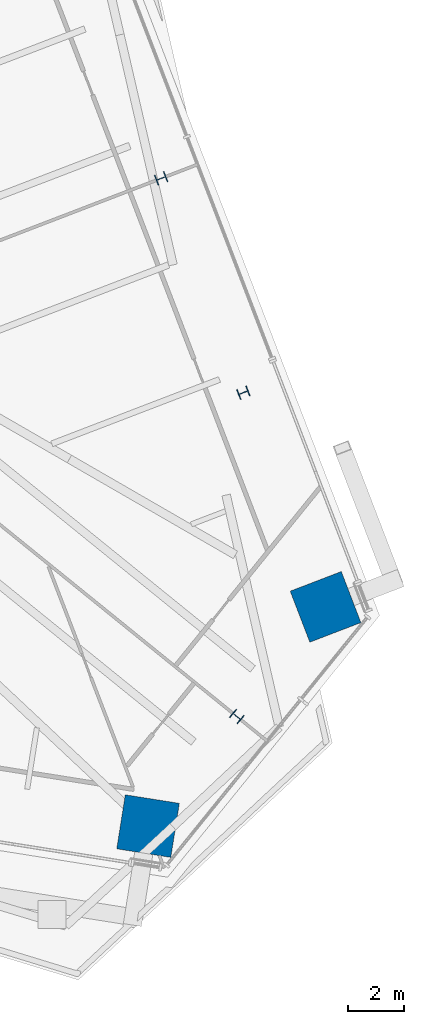
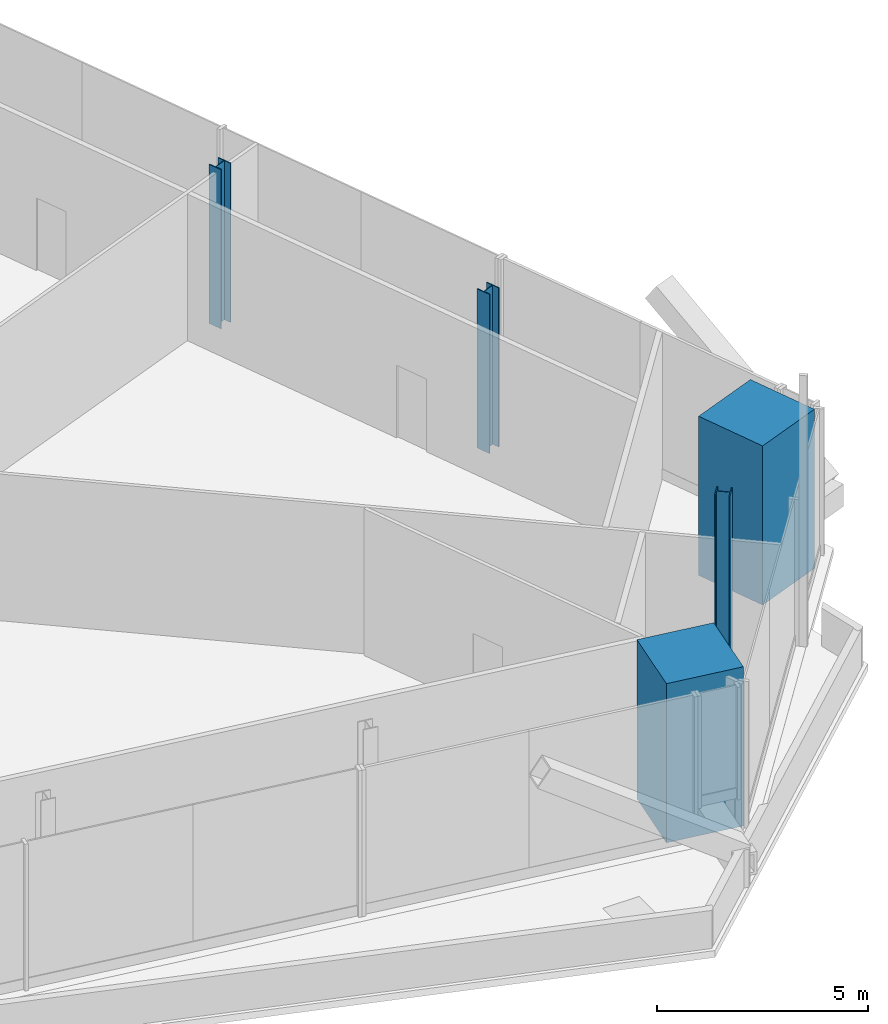
# One storey, part 2 of 22: 5 columns.
"""IFC4 building model written with IfcOpenShell, lengths in metres."""

from ifc_helpers import new_model, si_unit, direction, frame, origin, origin_2d, place, context, subcontext, project, spatial, rectangle, i_section, extrude, source, transform, mapped, material, material_profile, profile_set, type_object, element, save


model = new_model("IFC4")

# Units and contexts
model_context = context("Model", 3, precision=1e-05, world=origin(), true_north=direction((0.0, 1.0)))
body_context = subcontext(model_context, "Body", "Model", "MODEL_VIEW")
ifc_project = project(units=[si_unit("LENGTHUNIT", "METRE"), si_unit("AREAUNIT", "SQUARE_METRE"), si_unit("VOLUMEUNIT", "CUBIC_METRE"), si_unit("PLANEANGLEUNIT", "RADIAN"), si_unit("MASSUNIT", "GRAM", prefix="KILO")], contexts=[model_context])

# Site, building, storey
site_placement = place(None, origin())
site = spatial("IfcSite", under=ifc_project, at=site_placement, CompositionType="ELEMENT")
building_placement = place(site_placement, origin())
building = spatial("IfcBuilding", under=site, at=building_placement, Name="Triune Harvest Tower", CompositionType="ELEMENT")
storey_placement = place(building_placement, frame((0.0, 0.0, 138.10009765625)))
storey = spatial("IfcBuildingStorey", under=building, at=storey_placement, Name="L35", CompositionType="ELEMENT", Elevation=138.10009765625)

# Columns
ifc_material_1 = material(Name="Steel ASTM A992 Gr 50", Category="steel")
ifc_material_profile_1 = material_profile(ifc_material_1, i_section(OverallWidth=0.373291015625, OverallDepth=0.373291015625, WebThickness=0.016357421875, FlangeThickness=0.026123046875, at=origin_2d()), Name="W14x132")
ifc_profile_set_1 = profile_set([ifc_material_profile_1], Name="Steel ASTM A992 Gr 50")
column_type_1 = type_object("IfcColumnType", Name="PC-4 Perimeter column W14x132", PredefinedType="COLUMN", material=ifc_profile_set_1)
column_placement = place(storey_placement, frame((24.2626953125, -19.647705078125, -0.2001953125), z_axis=(0.0, 0.0, 1.0), x_axis=(0.629321747424, 0.777144863084, 0.0)))
element("IfcColumn", 1, at=column_placement, inside=storey, type_object=column_type_1, Name="col/L35/P23", PredefinedType="COLUMN", context=body_context, shape_type="SweptSolid", body=[
    extrude(i_section(OverallWidth=0.373291015625, OverallDepth=0.373291015625, WebThickness=0.016357421875, FlangeThickness=0.026123046875, at=origin_2d()), origin(), (0.0, 0.0, 1.0), 5.800048828125),
])
ifc_material_2 = material(Name="Concrete 70 MPa", Category="concrete")
ifc_material_profile_2 = material_profile(ifc_material_2, rectangle(XDim=1.949951171875, YDim=1.949951171875, at=origin_2d()), Name="Composite 1950x1950")
ifc_profile_set_2 = profile_set([ifc_material_profile_2], Name="Concrete 70 MPa")
column_type_2 = type_object("IfcColumnType", Name="MC-4 Mega column Composite 1950x1950", PredefinedType="COLUMN", material=ifc_profile_set_2)
shared_shape_1 = source(origin(), body_context, "Body", "SweptSolid", [
    extrude(rectangle(XDim=1.949951171875, YDim=1.949951171875, at=origin_2d()), origin(), (0.0, 0.0, 1.0), 4.60009765625),
])
for number, where, z_axis, x_axis, name in (
    (2, (27.425048828125, -15.742431640625, -0.2001953125), (0.0, 0.0, 1.0), (-0.358367949545, 0.933580426497, 0.0), "col/L35/M0"),
    (3, (21.100341796875, -23.552734375, -0.2001953125), (0.0, 0.0, 1.0), (0.987688340595, -0.15643446504, 0.0), "col/L35/M22"),
):
    element("IfcColumn", number, at=place(storey_placement, frame(where, z_axis=z_axis, x_axis=x_axis)), inside=storey, type_object=column_type_2, Name=name, PredefinedType="COLUMN", context=body_context, shape_type="MappedRepresentation", body=[
        mapped(shared_shape_1, transform((0.0, 0.0, 0.0), scale=1.0)),
    ])
shared_shape_2 = source(origin(), body_context, "Body", "SweptSolid", [
    extrude(i_section(OverallWidth=0.373291015625, OverallDepth=0.373291015625, WebThickness=0.016357421875, FlangeThickness=0.026123046875, at=origin_2d()), origin(), (0.0, 0.0, 1.0), 4.60009765625),
])
for number, where, z_axis, x_axis, name in (
    (4, (24.495361328125, -8.1103515625, -0.2001953125), (0.0, 0.0, 1.0), (-0.358367949545, 0.933580426497, 0.0), "col/L35/P1"),
    (5, (21.565673828125, -0.478271484375, -0.2001953125), (0.0, 0.0, 1.0), (-0.358367949545, 0.933580426497, 0.0), "col/L35/P2"),
):
    element("IfcColumn", number, at=place(storey_placement, frame(where, z_axis=z_axis, x_axis=x_axis)), inside=storey, type_object=column_type_1, Name=name, PredefinedType="COLUMN", context=body_context, shape_type="MappedRepresentation", body=[
        mapped(shared_shape_2, transform((0.0, 0.0, 0.0), scale=1.0)),
    ])

save(model, "model.ifc")
